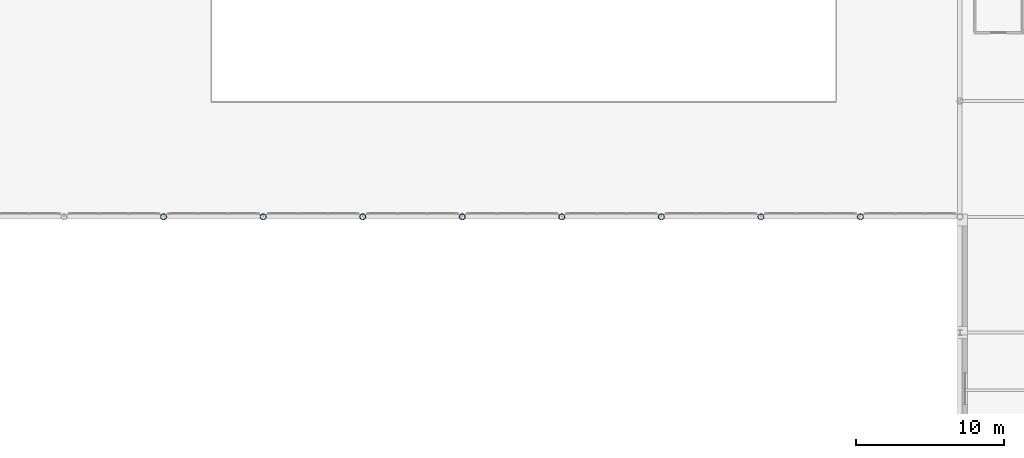
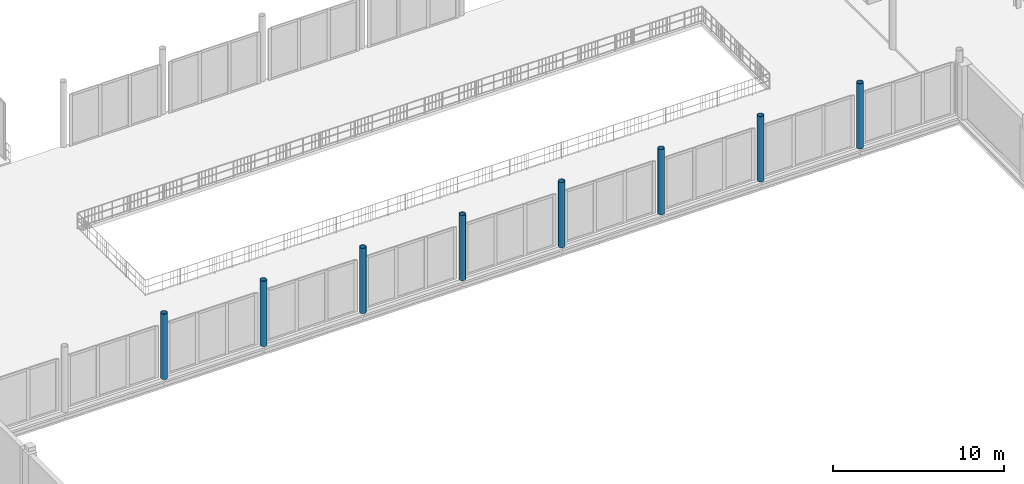
# One storey, part 5 of 98: 8 columns.
"""IFC4 building model written with IfcOpenShell, lengths in metres."""

from ifc_helpers import new_model, si_unit, direction, frame, origin, origin_2d, place, context, subcontext, project, spatial, hollow_circle, extrude, material, material_profile, profile_set, type_object, element, save


model = new_model("IFC4")

# Units and contexts
model_context = context("Model", 3, precision=1e-05, world=origin(), true_north=direction((0.0, 1.0)))
body_context = subcontext(model_context, "Body", "Model", "MODEL_VIEW")
ifc_project = project(units=[si_unit("LENGTHUNIT", "METRE"), si_unit("AREAUNIT", "SQUARE_METRE"), si_unit("VOLUMEUNIT", "CUBIC_METRE"), si_unit("PLANEANGLEUNIT", "RADIAN"), si_unit("MASSUNIT", "GRAM", prefix="KILO")], contexts=[model_context])

# Site, building, storey
site_placement = place(None, origin())
site = spatial("IfcSite", under=ifc_project, at=site_placement, CompositionType="ELEMENT")
building_placement = place(site_placement, origin())
building = spatial("IfcBuilding", under=site, at=building_placement, Name="Nabrawat Pavilion Hospital", CompositionType="ELEMENT")
storey_placement = place(building_placement, frame((0.0, 0.0, 10.199951171875)))
storey = spatial("IfcBuildingStorey", under=building, at=storey_placement, Name="L02", CompositionType="ELEMENT", Elevation=10.199951171875)

# Columns
ifc_material = material(Name="Steel S355", Category="steel")
ifc_material_profile = material_profile(ifc_material, hollow_circle(Radius=0.203125, WallThickness=0.02001953125, at=origin_2d()), Name="CHS 406.4x20")
ifc_profile_set = profile_set([ifc_material_profile], Name="Steel S355")
column_type = type_object("IfcColumnType", Name="Expressed Pavilion Tubular Column CHS 406.4x20", PredefinedType="COLUMN", material=ifc_profile_set)
for number, where, z_axis, x_axis, name in (
    (1, (72.3359375, 15.60009765625, 0.0), (0.0, 0.0, 1.0), (1.0, 0.0, 0.0), "L02 Expressed Pavilion Column MH-S02"),
    (2, (79.0439453125, 15.60009765625, 0.0), (0.0, 0.0, 1.0), (1.0, 0.0, 0.0), "L02 Expressed Pavilion Column MH-S03"),
    (3, (85.751953125, 15.60009765625, 0.0), (0.0, 0.0, 1.0), (1.0, 0.0, 0.0), "L02 Expressed Pavilion Column MH-S04"),
    (4, (92.4599609375, 15.60009765625, 0.0), (0.0, 0.0, 1.0), (1.0, 0.0, 0.0), "L02 Expressed Pavilion Column MH-S05"),
    (5, (99.16796875, 15.60009765625, 0.0), (0.0, 0.0, 1.0), (1.0, 0.0, 0.0), "L02 Expressed Pavilion Column MH-S06"),
    (6, (105.8759765625, 15.60009765625, 0.0), (0.0, 0.0, 1.0), (1.0, 0.0, 0.0), "L02 Expressed Pavilion Column MH-S07"),
    (7, (112.583984375, 15.60009765625, 0.0), (0.0, 0.0, 1.0), (1.0, 0.0, 0.0), "L02 Expressed Pavilion Column MH-S08"),
    (8, (119.2919921875, 15.60009765625, 0.0), (0.0, 0.0, 1.0), (1.0, 0.0, 0.0), "L02 Expressed Pavilion Column MH-S09"),
):
    element("IfcColumn", number, at=place(storey_placement, frame(where, z_axis=z_axis, x_axis=x_axis)), inside=storey, type_object=column_type, Name=name, PredefinedType="COLUMN", context=body_context, shape_type="SweptSolid", body=[
        extrude(hollow_circle(Radius=0.203125, WallThickness=0.02001953125, at=origin_2d()), origin(), (0.0, 0.0, 1.0), 4.650146484375),
    ])

save(model, "model.ifc")
